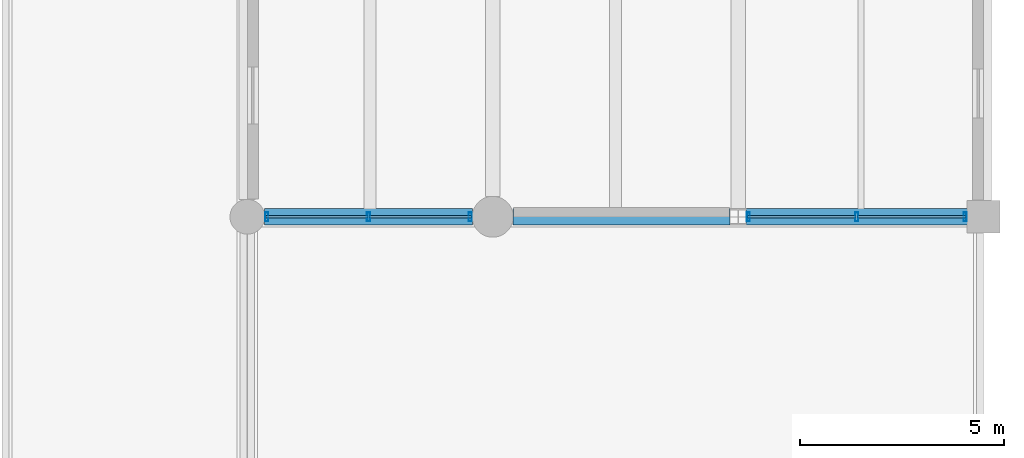
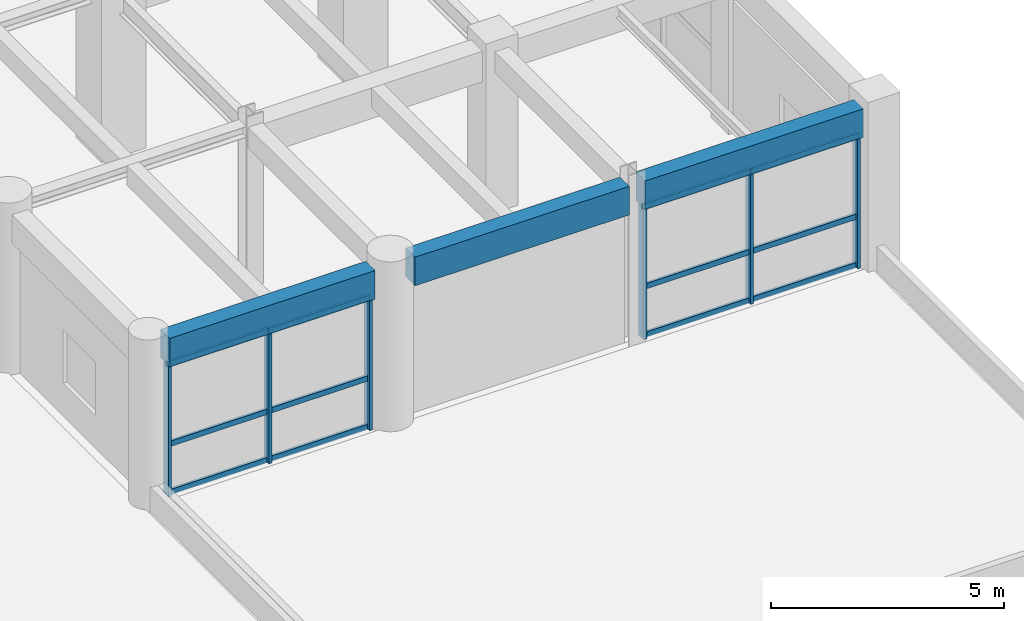
# One storey, part 57 of 133: 18 members, 3 beams, 2 elements without a shape of their own.
"""IFC4 building model written with IfcOpenShell, lengths in metres."""

from ifc_helpers import new_model, si_unit, direction, frame, origin, origin_2d, place, context, subcontext, project, spatial, rectangle, hollow_rectangle, extrude, material, material_profile, profile_set, type_object, element, aggregate, save


model = new_model("IFC4")

# Units and contexts
model_context = context("Model", 3, precision=1e-05, world=origin(), true_north=direction((0.0, 1.0)))
body_context = subcontext(model_context, "Body", "Model", "MODEL_VIEW")
ifc_project = project(units=[si_unit("LENGTHUNIT", "METRE"), si_unit("AREAUNIT", "SQUARE_METRE"), si_unit("VOLUMEUNIT", "CUBIC_METRE"), si_unit("PLANEANGLEUNIT", "RADIAN"), si_unit("MASSUNIT", "GRAM", prefix="KILO"), si_unit("THERMODYNAMICTEMPERATUREUNIT", "KELVIN"), si_unit("POWERUNIT", "WATT")], contexts=[model_context])

# Site, building, storey
site_placement = place(None, origin())
site = spatial("IfcSite", under=ifc_project, at=site_placement, CompositionType="ELEMENT")
building_placement = place(site_placement, origin())
building = spatial("IfcBuilding", under=site, at=building_placement, Name="Phaisarnlok Congress Hotel", CompositionType="ELEMENT")
storey_placement = place(building_placement, frame((0.0, 0.0, 6.0)))
storey = spatial("IfcBuildingStorey", under=building, at=storey_placement, Name="L01", CompositionType="ELEMENT", Elevation=6.0)

# Curtain wall, members
ifc_material_1 = material(Name="Thermally Broken Unitised Aluminium & Low-E Glazing", Category="aluminium")
curtain_wall_type_1 = type_object("IfcCurtainWallType", Name="CW-UNIT-12", PredefinedType="NOTDEFINED", material=ifc_material_1)
curtain_wall_1_placement = place(storey_placement, origin())
curtain_wall_1 = element("IfcCurtainWall", 1, at=curtain_wall_1_placement, inside=storey, type_object=curtain_wall_type_1, Name="Unitised curtain wall CW-12 (L01)", PredefinedType="NOTDEFINED")
ifc_material_2 = material(Name="Anodised Aluminium Alloy 6063-T6", Category="aluminium")
ifc_material_profile_1 = material_profile(ifc_material_2, hollow_rectangle(XDim=0.074951171875, YDim=0.219970703125, WallThickness=0.0048828125, at=origin_2d()), Name="ALU-M 75x220x5")
ifc_profile_set_1 = profile_set([ifc_material_profile_1], Name="Anodised Aluminium Alloy 6063-T6")
member_type_1 = type_object("IfcMemberType", Name="CWM-220", PredefinedType="MULLION", material=ifc_profile_set_1)
member_1_placement = place(storey_placement, frame((162.47509765625, 30.0, 0.0), z_axis=(0.0, 0.0, 1.0), x_axis=(1.0, 0.0, 0.0)))
member_1 = element("IfcMember", 2, at=member_1_placement, type_object=member_type_1, Name="Curtain wall mullion CWM-02", PredefinedType="MULLION", context=body_context, shape_type="SweptSolid", body=[
    extrude(hollow_rectangle(XDim=0.074951171875, YDim=0.219970703125, WallThickness=0.0048828125, at=origin_2d()), origin(), (0.0, 0.0, 1.0), 3.469970703125),
])
member_2_placement = place(storey_placement, frame((164.96240234375, 30.0, 0.0), z_axis=(0.0, 0.0, 1.0), x_axis=(1.0, 0.0, 0.0)))
member_2 = element("IfcMember", 3, at=member_2_placement, type_object=member_type_1, Name="Curtain wall mullion CWM-02", PredefinedType="MULLION", context=body_context, shape_type="SweptSolid", body=[
    extrude(hollow_rectangle(XDim=0.074951171875, YDim=0.219970703125, WallThickness=0.0048828125, at=origin_2d()), origin(), (0.0, 0.0, 1.0), 3.469970703125),
])
member_3_placement = place(storey_placement, frame((167.449951171875, 30.0, 0.0), z_axis=(0.0, 0.0, 1.0), x_axis=(1.0, 0.0, 0.0)))
member_3 = element("IfcMember", 4, at=member_3_placement, type_object=member_type_1, Name="Curtain wall mullion CWM-02", PredefinedType="MULLION", context=body_context, shape_type="SweptSolid", body=[
    extrude(hollow_rectangle(XDim=0.074951171875, YDim=0.219970703125, WallThickness=0.0048828125, at=origin_2d()), origin(), (0.0, 0.0, 1.0), 3.469970703125),
])

curtain_wall_type_2 = type_object("IfcCurtainWallType", Name="CW-UNIT-14", PredefinedType="NOTDEFINED", material=ifc_material_1)
curtain_wall_2_placement = place(storey_placement, origin())
curtain_wall_2 = element("IfcCurtainWall", 5, at=curtain_wall_2_placement, inside=storey, type_object=curtain_wall_type_2, Name="Unitised curtain wall CW-14 (L01)", PredefinedType="NOTDEFINED")
member_4_placement = place(storey_placement, frame((174.25048828125, 30.0, 0.0), z_axis=(0.0, 0.0, 1.0), x_axis=(1.0, 0.0, 0.0)))
member_4 = element("IfcMember", 6, at=member_4_placement, type_object=member_type_1, Name="Curtain wall mullion CWM-02", PredefinedType="MULLION", context=body_context, shape_type="SweptSolid", body=[
    extrude(hollow_rectangle(XDim=0.074951171875, YDim=0.219970703125, WallThickness=0.0048828125, at=origin_2d()), origin(), (0.0, 0.0, 1.0), 3.469970703125),
])
member_5_placement = place(storey_placement, frame((176.900146484375, 30.0, 0.0), z_axis=(0.0, 0.0, 1.0), x_axis=(1.0, 0.0, 0.0)))
member_5 = element("IfcMember", 7, at=member_5_placement, type_object=member_type_1, Name="Curtain wall mullion CWM-02", PredefinedType="MULLION", context=body_context, shape_type="SweptSolid", body=[
    extrude(hollow_rectangle(XDim=0.074951171875, YDim=0.219970703125, WallThickness=0.0048828125, at=origin_2d()), origin(), (0.0, 0.0, 1.0), 3.469970703125),
])
member_6_placement = place(storey_placement, frame((179.550048828125, 30.0, 0.0), z_axis=(0.0, 0.0, 1.0), x_axis=(1.0, 0.0, 0.0)))
member_6 = element("IfcMember", 8, at=member_6_placement, type_object=member_type_1, Name="Curtain wall mullion CWM-02", PredefinedType="MULLION", context=body_context, shape_type="SweptSolid", body=[
    extrude(hollow_rectangle(XDim=0.074951171875, YDim=0.219970703125, WallThickness=0.0048828125, at=origin_2d()), origin(), (0.0, 0.0, 1.0), 3.469970703125),
])

# Member
ifc_material_profile_2 = material_profile(ifc_material_2, hollow_rectangle(XDim=0.06494140625, YDim=0.139892578125, WallThickness=0.00390625, at=origin_2d()), Name="ALU-T 65x140x4")
ifc_profile_set_2 = profile_set([ifc_material_profile_2], Name="Anodised Aluminium Alloy 6063-T6")
member_type_2 = type_object("IfcMemberType", Name="CWT-150", PredefinedType="USERDEFINED", material=ifc_profile_set_2)
member_7_placement = place(storey_placement, frame((162.449951171875, 30.0, 0.050048828125), z_axis=(1.0, 0.0, 0.0), x_axis=(0.0, 1.0, 0.0)))
member_7 = element("IfcMember", 9, at=member_7_placement, type_object=member_type_2, Name="Curtain wall transom CWT-01", ObjectType="TRANSOM", PredefinedType="USERDEFINED", context=body_context, shape_type="SweptSolid", body=[
    extrude(hollow_rectangle(XDim=0.06494140625, YDim=0.139892578125, WallThickness=0.00390625, at=origin_2d()), origin(), (0.0, 0.0, 1.0), 2.49755859375),
])

member_8_placement = place(storey_placement, frame((162.449951171875, 30.0, 1.318603515625), z_axis=(1.0, 0.0, 0.0), x_axis=(0.0, 1.0, 0.0)))
member_8 = element("IfcMember", 10, at=member_8_placement, type_object=member_type_2, Name="Curtain wall transom CWT-01", ObjectType="TRANSOM", PredefinedType="USERDEFINED", context=body_context, shape_type="SweptSolid", body=[
    extrude(hollow_rectangle(XDim=0.06494140625, YDim=0.139892578125, WallThickness=0.00390625, at=origin_2d()), origin(), (0.0, 0.0, 1.0), 2.49755859375),
])

member_9_placement = place(storey_placement, frame((162.449951171875, 30.0, 3.419921875), z_axis=(1.0, 0.0, 0.0), x_axis=(0.0, 1.0, 0.0)))
member_9 = element("IfcMember", 11, at=member_9_placement, type_object=member_type_2, Name="Curtain wall transom CWT-01", ObjectType="TRANSOM", PredefinedType="USERDEFINED", context=body_context, shape_type="SweptSolid", body=[
    extrude(hollow_rectangle(XDim=0.06494140625, YDim=0.139892578125, WallThickness=0.00390625, at=origin_2d()), origin(), (0.0, 0.0, 1.0), 2.49755859375),
])

member_10_placement = place(storey_placement, frame((164.9775390625, 30.0, 0.050048828125), z_axis=(1.0, 0.0, 0.0), x_axis=(0.0, 1.0, 0.0)))
member_10 = element("IfcMember", 12, at=member_10_placement, type_object=member_type_2, Name="Curtain wall transom CWT-01", ObjectType="TRANSOM", PredefinedType="USERDEFINED", context=body_context, shape_type="SweptSolid", body=[
    extrude(hollow_rectangle(XDim=0.06494140625, YDim=0.139892578125, WallThickness=0.00390625, at=origin_2d()), origin(), (0.0, 0.0, 1.0), 2.49755859375),
])

member_11_placement = place(storey_placement, frame((164.9775390625, 30.0, 1.318603515625), z_axis=(1.0, 0.0, 0.0), x_axis=(0.0, 1.0, 0.0)))
member_11 = element("IfcMember", 13, at=member_11_placement, type_object=member_type_2, Name="Curtain wall transom CWT-01", ObjectType="TRANSOM", PredefinedType="USERDEFINED", context=body_context, shape_type="SweptSolid", body=[
    extrude(hollow_rectangle(XDim=0.06494140625, YDim=0.139892578125, WallThickness=0.00390625, at=origin_2d()), origin(), (0.0, 0.0, 1.0), 2.49755859375),
])

member_12_placement = place(storey_placement, frame((164.9775390625, 30.0, 3.419921875), z_axis=(1.0, 0.0, 0.0), x_axis=(0.0, 1.0, 0.0)))
member_12 = element("IfcMember", 14, at=member_12_placement, type_object=member_type_2, Name="Curtain wall transom CWT-01", ObjectType="TRANSOM", PredefinedType="USERDEFINED", context=body_context, shape_type="SweptSolid", body=[
    extrude(hollow_rectangle(XDim=0.06494140625, YDim=0.139892578125, WallThickness=0.00390625, at=origin_2d()), origin(), (0.0, 0.0, 1.0), 2.49755859375),
])

aggregate(curtain_wall_1, [member_1, member_2, member_3, member_7, member_8, member_9, member_10, member_11, member_12])

member_13_placement = place(storey_placement, frame((174.2255859375, 30.0, 0.050048828125), z_axis=(1.0, 0.0, 0.0), x_axis=(0.0, 1.0, 0.0)))
member_13 = element("IfcMember", 15, at=member_13_placement, type_object=member_type_2, Name="Curtain wall transom CWT-01", ObjectType="TRANSOM", PredefinedType="USERDEFINED", context=body_context, shape_type="SweptSolid", body=[
    extrude(hollow_rectangle(XDim=0.06494140625, YDim=0.139892578125, WallThickness=0.00390625, at=origin_2d()), origin(), (0.0, 0.0, 1.0), 2.65966796875),
])

member_14_placement = place(storey_placement, frame((174.2255859375, 30.0, 1.318603515625), z_axis=(1.0, 0.0, 0.0), x_axis=(0.0, 1.0, 0.0)))
member_14 = element("IfcMember", 16, at=member_14_placement, type_object=member_type_2, Name="Curtain wall transom CWT-01", ObjectType="TRANSOM", PredefinedType="USERDEFINED", context=body_context, shape_type="SweptSolid", body=[
    extrude(hollow_rectangle(XDim=0.06494140625, YDim=0.139892578125, WallThickness=0.00390625, at=origin_2d()), origin(), (0.0, 0.0, 1.0), 2.65966796875),
])

member_15_placement = place(storey_placement, frame((174.2255859375, 30.0, 3.419921875), z_axis=(1.0, 0.0, 0.0), x_axis=(0.0, 1.0, 0.0)))
member_15 = element("IfcMember", 17, at=member_15_placement, type_object=member_type_2, Name="Curtain wall transom CWT-01", ObjectType="TRANSOM", PredefinedType="USERDEFINED", context=body_context, shape_type="SweptSolid", body=[
    extrude(hollow_rectangle(XDim=0.06494140625, YDim=0.139892578125, WallThickness=0.00390625, at=origin_2d()), origin(), (0.0, 0.0, 1.0), 2.65966796875),
])

member_16_placement = place(storey_placement, frame((176.915283203125, 30.0, 0.050048828125), z_axis=(1.0, 0.0, 0.0), x_axis=(0.0, 1.0, 0.0)))
member_16 = element("IfcMember", 18, at=member_16_placement, type_object=member_type_2, Name="Curtain wall transom CWT-01", ObjectType="TRANSOM", PredefinedType="USERDEFINED", context=body_context, shape_type="SweptSolid", body=[
    extrude(hollow_rectangle(XDim=0.06494140625, YDim=0.139892578125, WallThickness=0.00390625, at=origin_2d()), origin(), (0.0, 0.0, 1.0), 2.65966796875),
])

member_17_placement = place(storey_placement, frame((176.915283203125, 30.0, 1.318603515625), z_axis=(1.0, 0.0, 0.0), x_axis=(0.0, 1.0, 0.0)))
member_17 = element("IfcMember", 19, at=member_17_placement, type_object=member_type_2, Name="Curtain wall transom CWT-01", ObjectType="TRANSOM", PredefinedType="USERDEFINED", context=body_context, shape_type="SweptSolid", body=[
    extrude(hollow_rectangle(XDim=0.06494140625, YDim=0.139892578125, WallThickness=0.00390625, at=origin_2d()), origin(), (0.0, 0.0, 1.0), 2.65966796875),
])

member_18_placement = place(storey_placement, frame((176.915283203125, 30.0, 3.419921875), z_axis=(1.0, 0.0, 0.0), x_axis=(0.0, 1.0, 0.0)))
member_18 = element("IfcMember", 20, at=member_18_placement, type_object=member_type_2, Name="Curtain wall transom CWT-01", ObjectType="TRANSOM", PredefinedType="USERDEFINED", context=body_context, shape_type="SweptSolid", body=[
    extrude(hollow_rectangle(XDim=0.06494140625, YDim=0.139892578125, WallThickness=0.00390625, at=origin_2d()), origin(), (0.0, 0.0, 1.0), 2.65966796875),
])

aggregate(curtain_wall_2, [member_4, member_5, member_6, member_13, member_14, member_15, member_16, member_17, member_18])

# Beams
ifc_material_3 = material(Name="Concrete C40/50", Category="concrete")
ifc_material_profile_3 = material_profile(ifc_material_3, rectangle(XDim=0.39990234375, YDim=0.75, at=origin_2d()), Name="RC 400x750")
ifc_profile_set_3 = profile_set([ifc_material_profile_3], Name="Concrete C40/50")
beam_type = type_object("IfcBeamType", Name="SP-RC-400x750", PredefinedType="SPANDREL", material=ifc_profile_set_3)
beam_1_placement = place(storey_placement, frame((162.419921875, 30.0, 3.844970703125), z_axis=(1.0, 0.0, 0.0), x_axis=(0.0, 1.0, 0.0)))
element("IfcBeam", 21, at=beam_1_placement, inside=storey, type_object=beam_type, Name="Beam SP-02", PredefinedType="SPANDREL", context=body_context, shape_type="SweptSolid", body=[
    extrude(rectangle(XDim=0.39990234375, YDim=0.75, at=origin_2d()), origin(), (0.0, 0.0, 1.0), 5.0849609375),
])
beam_2_placement = place(storey_placement, frame((168.4951171875, 30.0, 3.844970703125), z_axis=(1.0, 0.0, 0.0), x_axis=(0.0, 1.0, 0.0)))
element("IfcBeam", 22, at=beam_2_placement, inside=storey, type_object=beam_type, Name="Beam SP-02", PredefinedType="SPANDREL", context=body_context, shape_type="SweptSolid", body=[
    extrude(rectangle(XDim=0.39990234375, YDim=0.75, at=origin_2d()), origin(), (0.0, 0.0, 1.0), 5.309326171875),
])
beam_3_placement = place(storey_placement, frame((174.195556640625, 30.0, 3.844970703125), z_axis=(1.0, 0.0, 0.0), x_axis=(0.0, 1.0, 0.0)))
element("IfcBeam", 23, at=beam_3_placement, inside=storey, type_object=beam_type, Name="Beam SP-02", PredefinedType="SPANDREL", context=body_context, shape_type="SweptSolid", body=[
    extrude(rectangle(XDim=0.39990234375, YDim=0.75, at=origin_2d()), origin(), (0.0, 0.0, 1.0), 5.409423828125),
])

save(model, "model.ifc")
